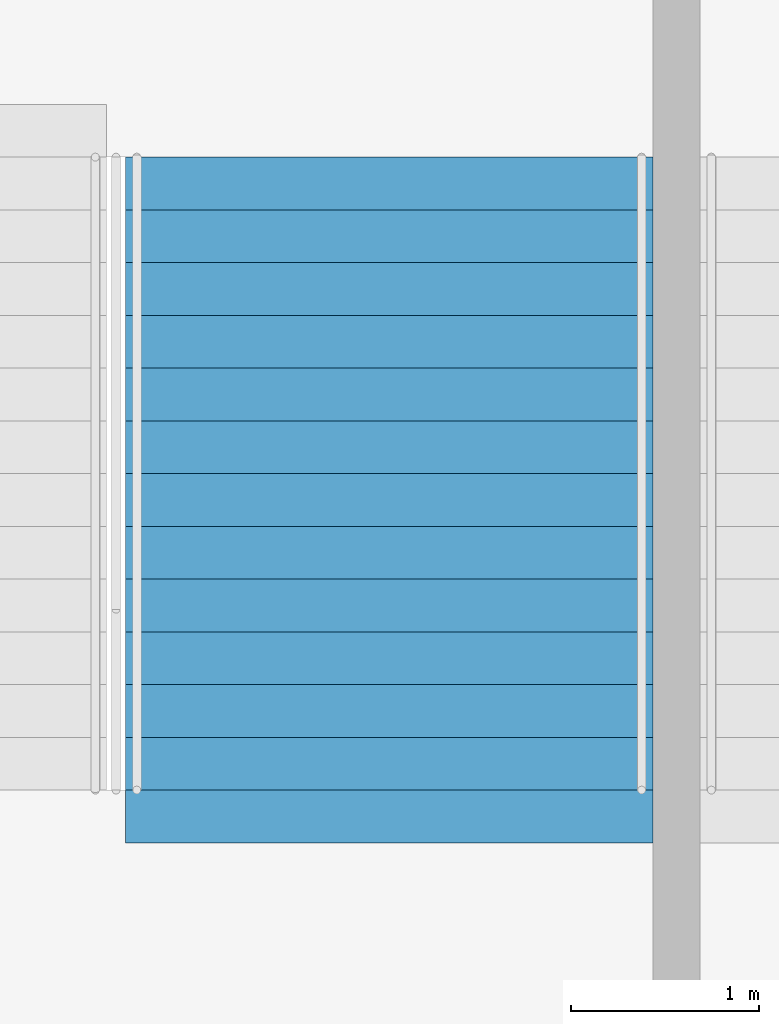
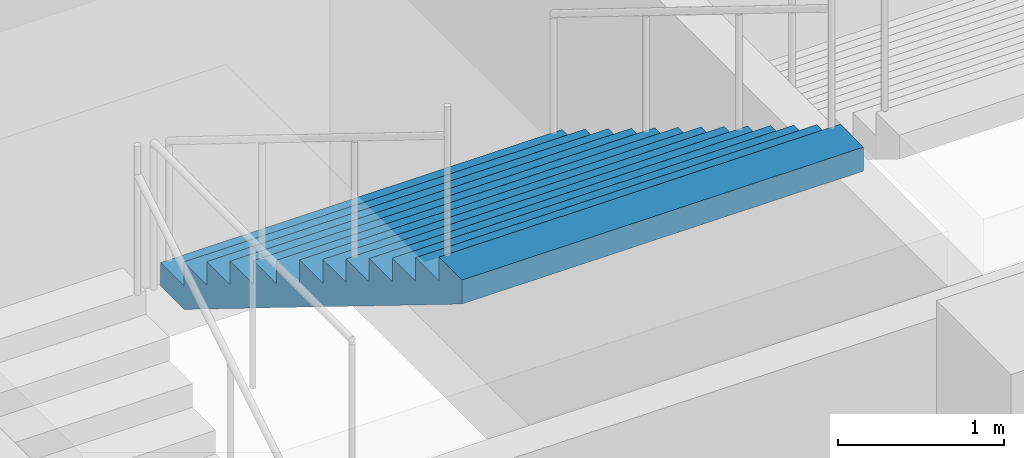
# One storey, part 164 of 199: 1 stair flight, 1 element without a shape of its own.
"""IFC4 building model written with IfcOpenShell, lengths in metres."""

from ifc_helpers import new_model, si_unit, direction, frame, origin, place, context, subcontext, project, spatial, faceted_brep, material, type_object, element, aggregate, save


model = new_model("IFC4")

# Units and contexts
model_context = context("Model", 3, precision=1e-05, world=origin(), true_north=direction((0.0, 1.0)))
body_context = subcontext(model_context, "Body", "Model", "MODEL_VIEW")
ifc_project = project(units=[si_unit("LENGTHUNIT", "METRE"), si_unit("AREAUNIT", "SQUARE_METRE"), si_unit("VOLUMEUNIT", "CUBIC_METRE"), si_unit("PLANEANGLEUNIT", "RADIAN"), si_unit("MASSUNIT", "GRAM", prefix="KILO")], contexts=[model_context])

# Site, building, storey
site_placement = place(None, origin())
site = spatial("IfcSite", under=ifc_project, at=site_placement, CompositionType="ELEMENT")
building_placement = place(site_placement, origin())
building = spatial("IfcBuilding", under=site, at=building_placement, Name="Ogive Plaza Stadium", CompositionType="ELEMENT")
storey_placement = place(building_placement, frame((0.0, 0.0, 9.0)))
storey = spatial("IfcBuildingStorey", under=building, at=storey_placement, Name="L02", CompositionType="ELEMENT", Elevation=9.0)

# Stair, stair flight
ifc_material_1 = material(Name="Concrete C40/50", Category="concrete")
stair_type = type_object("IfcStairType", Name="Exit stair", PredefinedType="STRAIGHT_RUN_STAIR", material=ifc_material_1)
stair_placement = place(storey_placement, origin())
stair = element("IfcStair", 1, at=stair_placement, inside=storey, type_object=stair_type, Name="Exit stair ST34B L02 to L03", PredefinedType="STRAIGHT_RUN_STAIR")
ifc_material_2 = material(Name="Concrete C40/50", Category="concrete")
stair_flight_type = type_object("IfcStairFlightType", Name="Exit stair flight", PredefinedType="STRAIGHT", material=ifc_material_2)
stair_flight_placement = place(storey_placement, frame((-8.324951171875, 98.2099609375, 2.25), z_axis=(0.0, 0.0, 1.0), x_axis=(0.0, -1.0, 0.0)))
stair_flight = element("IfcStairFlight", 2, at=stair_flight_placement, type_object=stair_flight_type, Name="ST34B flight 2", NumberOfRisers=13, NumberOfTreads=12, PredefinedType="STRAIGHT", RiserHeight=0.173076923, TreadLength=0.28, context=body_context, shape_type="Brep", body=[
    faceted_brep([(0.28515625, -1.39990234375, 0.0), (3.639892578125, -1.39990234375, 2.07373046875), (3.639892578125, -1.39990234375, 2.25), (3.360107421875, -1.39990234375, 2.25), (3.360107421875, -1.39990234375, 2.076904296875), (3.080078125, -1.39990234375, 2.076904296875), (3.080078125, -1.39990234375, 1.90380859375), (2.800048828125, -1.39990234375, 1.90380859375), (2.800048828125, -1.39990234375, 1.730712890625), (2.52001953125, -1.39990234375, 1.730712890625), (2.52001953125, -1.39990234375, 1.5576171875), (2.239990234375, -1.39990234375, 1.5576171875), (2.239990234375, -1.39990234375, 1.384521484375), (1.9599609375, -1.39990234375, 1.384521484375), (1.9599609375, -1.39990234375, 1.21142578125), (1.679931640625, -1.39990234375, 1.21142578125), (1.679931640625, -1.39990234375, 1.03857421875), (1.39990234375, -1.39990234375, 1.03857421875), (1.39990234375, -1.39990234375, 0.865478515625), (1.1201171875, -1.39990234375, 0.865478515625), (1.1201171875, -1.39990234375, 0.6923828125), (0.840087890625, -1.39990234375, 0.6923828125), (0.840087890625, -1.39990234375, 0.519287109375), (0.56005859375, -1.39990234375, 0.519287109375), (0.56005859375, -1.39990234375, 0.34619140625), (0.280029296875, -1.39990234375, 0.34619140625), (0.280029296875, -1.39990234375, 0.173095703125), (0.0, -1.39990234375, 0.173095703125), (0.0, -1.39990234375, 0.0), (0.0, 1.39990234375, 0.0), (0.0, 1.39990234375, 0.173095703125), (0.280029296875, 1.39990234375, 0.173095703125), (0.280029296875, 1.39990234375, 0.34619140625), (0.56005859375, 1.39990234375, 0.34619140625), (0.56005859375, 1.39990234375, 0.519287109375), (0.840087890625, 1.39990234375, 0.519287109375), (0.840087890625, 1.39990234375, 0.6923828125), (1.1201171875, 1.39990234375, 0.6923828125), (1.1201171875, 1.39990234375, 0.865478515625), (1.39990234375, 1.39990234375, 0.865478515625), (1.39990234375, 1.39990234375, 1.03857421875), (1.679931640625, 1.39990234375, 1.03857421875), (1.679931640625, 1.39990234375, 1.21142578125), (1.9599609375, 1.39990234375, 1.21142578125), (1.9599609375, 1.39990234375, 1.384521484375), (2.239990234375, 1.39990234375, 1.384521484375), (2.239990234375, 1.39990234375, 1.5576171875), (2.52001953125, 1.39990234375, 1.5576171875), (2.52001953125, 1.39990234375, 1.730712890625), (2.800048828125, 1.39990234375, 1.730712890625), (2.800048828125, 1.39990234375, 1.90380859375), (3.080078125, 1.39990234375, 1.90380859375), (3.080078125, 1.39990234375, 2.076904296875), (3.360107421875, 1.39990234375, 2.076904296875), (3.360107421875, 1.39990234375, 2.25), (3.639892578125, 1.39990234375, 2.25), (3.639892578125, 1.39990234375, 2.07373046875), (0.28515625, 1.39990234375, 0.0), (0.28515625, -1.0888671875, 0.0), (3.639892578125, -1.0888671875, 2.07373046875), (0.28515625, -0.77783203125, 0.0), (3.639892578125, -0.77783203125, 2.07373046875), (0.28515625, -0.466796875, 0.0), (3.639892578125, -0.466796875, 2.07373046875), (0.28515625, -0.155517578125, 0.0), (3.639892578125, -0.155517578125, 2.07373046875), (0.28515625, 0.155517578125, 0.0), (3.639892578125, 0.155517578125, 2.07373046875), (0.28515625, 0.466796875, 0.0), (3.639892578125, 0.466796875, 2.07373046875), (0.28515625, 0.77783203125, 0.0), (3.639892578125, 0.77783203125, 2.07373046875), (0.28515625, 1.0888671875, 0.0), (3.639892578125, 1.0888671875, 2.07373046875), (3.639892578125, -1.0888671875, 2.25), (3.639892578125, -0.77783203125, 2.25), (3.639892578125, -0.466796875, 2.25), (3.639892578125, -0.155517578125, 2.25), (3.639892578125, 0.155517578125, 2.25), (3.639892578125, 0.466796875, 2.25), (3.639892578125, 0.77783203125, 2.25), (3.639892578125, 1.0888671875, 2.25), (3.360107421875, -1.0888671875, 2.25), (3.360107421875, -0.77783203125, 2.25), (3.360107421875, -0.466796875, 2.25), (3.360107421875, -0.155517578125, 2.25), (3.360107421875, 0.155517578125, 2.25), (3.360107421875, 0.466796875, 2.25), (3.360107421875, 0.77783203125, 2.25), (3.360107421875, 1.0888671875, 2.25), (3.360107421875, -1.0888671875, 2.076904296875), (3.360107421875, -0.77783203125, 2.076904296875), (3.360107421875, -0.466796875, 2.076904296875), (3.360107421875, -0.155517578125, 2.076904296875), (3.360107421875, 0.155517578125, 2.076904296875), (3.360107421875, 0.466796875, 2.076904296875), (3.360107421875, 0.77783203125, 2.076904296875), (3.360107421875, 1.0888671875, 2.076904296875), (3.080078125, -1.0888671875, 2.076904296875), (3.080078125, -0.77783203125, 2.076904296875), (3.080078125, -0.466796875, 2.076904296875), (3.080078125, -0.155517578125, 2.076904296875), (3.080078125, 0.155517578125, 2.076904296875), (3.080078125, 0.466796875, 2.076904296875), (3.080078125, 0.77783203125, 2.076904296875), (3.080078125, 1.0888671875, 2.076904296875), (3.080078125, -1.0888671875, 1.90380859375), (3.080078125, -0.77783203125, 1.90380859375), (3.080078125, -0.466796875, 1.90380859375), (3.080078125, -0.155517578125, 1.90380859375), (3.080078125, 0.155517578125, 1.90380859375), (3.080078125, 0.466796875, 1.90380859375), (3.080078125, 0.77783203125, 1.90380859375), (3.080078125, 1.0888671875, 1.90380859375), (2.800048828125, -1.0888671875, 1.90380859375), (2.800048828125, -0.77783203125, 1.90380859375), (2.800048828125, -0.466796875, 1.90380859375), (2.800048828125, -0.155517578125, 1.90380859375), (2.800048828125, 0.155517578125, 1.90380859375), (2.800048828125, 0.466796875, 1.90380859375), (2.800048828125, 0.77783203125, 1.90380859375), (2.800048828125, 1.0888671875, 1.90380859375), (2.800048828125, -1.0888671875, 1.730712890625), (2.800048828125, -0.77783203125, 1.730712890625), (2.800048828125, -0.466796875, 1.730712890625), (2.800048828125, -0.155517578125, 1.730712890625), (2.800048828125, 0.155517578125, 1.730712890625), (2.800048828125, 0.466796875, 1.730712890625), (2.800048828125, 0.77783203125, 1.730712890625), (2.800048828125, 1.0888671875, 1.730712890625), (2.52001953125, -1.0888671875, 1.730712890625), (2.52001953125, -0.77783203125, 1.730712890625), (2.52001953125, -0.466796875, 1.730712890625), (2.52001953125, -0.155517578125, 1.730712890625), (2.52001953125, 0.155517578125, 1.730712890625), (2.52001953125, 0.466796875, 1.730712890625), (2.52001953125, 0.77783203125, 1.730712890625), (2.52001953125, 1.0888671875, 1.730712890625), (2.52001953125, -1.0888671875, 1.5576171875), (2.52001953125, -0.77783203125, 1.5576171875), (2.52001953125, -0.466796875, 1.5576171875), (2.52001953125, -0.155517578125, 1.5576171875), (2.52001953125, 0.155517578125, 1.5576171875), (2.52001953125, 0.466796875, 1.5576171875), (2.52001953125, 0.77783203125, 1.5576171875), (2.52001953125, 1.0888671875, 1.5576171875), (2.239990234375, -1.0888671875, 1.5576171875), (2.239990234375, -0.77783203125, 1.5576171875), (2.239990234375, -0.466796875, 1.5576171875), (2.239990234375, -0.155517578125, 1.5576171875), (2.239990234375, 0.155517578125, 1.5576171875), (2.239990234375, 0.466796875, 1.5576171875), (2.239990234375, 0.77783203125, 1.5576171875), (2.239990234375, 1.0888671875, 1.5576171875), (2.239990234375, -1.0888671875, 1.384521484375), (2.239990234375, -0.77783203125, 1.384521484375), (2.239990234375, -0.466796875, 1.384521484375), (2.239990234375, -0.155517578125, 1.384521484375), (2.239990234375, 0.155517578125, 1.384521484375), (2.239990234375, 0.466796875, 1.384521484375), (2.239990234375, 0.77783203125, 1.384521484375), (2.239990234375, 1.0888671875, 1.384521484375), (1.9599609375, -1.0888671875, 1.384521484375), (1.9599609375, -0.77783203125, 1.384521484375), (1.9599609375, -0.466796875, 1.384521484375), (1.9599609375, -0.155517578125, 1.384521484375), (1.9599609375, 0.155517578125, 1.384521484375), (1.9599609375, 0.466796875, 1.384521484375), (1.9599609375, 0.77783203125, 1.384521484375), (1.9599609375, 1.0888671875, 1.384521484375), (1.9599609375, -1.0888671875, 1.21142578125), (1.9599609375, -0.77783203125, 1.21142578125), (1.9599609375, -0.466796875, 1.21142578125), (1.9599609375, -0.155517578125, 1.21142578125), (1.9599609375, 0.155517578125, 1.21142578125), (1.9599609375, 0.466796875, 1.21142578125), (1.9599609375, 0.77783203125, 1.21142578125), (1.9599609375, 1.0888671875, 1.21142578125), (1.679931640625, -1.0888671875, 1.21142578125), (1.679931640625, -0.77783203125, 1.21142578125), (1.679931640625, -0.466796875, 1.21142578125), (1.679931640625, -0.155517578125, 1.21142578125), (1.679931640625, 0.155517578125, 1.21142578125), (1.679931640625, 0.466796875, 1.21142578125), (1.679931640625, 0.77783203125, 1.21142578125), (1.679931640625, 1.0888671875, 1.21142578125), (1.679931640625, -1.0888671875, 1.03857421875), (1.679931640625, -0.77783203125, 1.03857421875), (1.679931640625, -0.466796875, 1.03857421875), (1.679931640625, -0.155517578125, 1.03857421875), (1.679931640625, 0.155517578125, 1.03857421875), (1.679931640625, 0.466796875, 1.03857421875), (1.679931640625, 0.77783203125, 1.03857421875), (1.679931640625, 1.0888671875, 1.03857421875), (1.39990234375, -1.0888671875, 1.03857421875), (1.39990234375, -0.77783203125, 1.03857421875), (1.39990234375, -0.466796875, 1.03857421875), (1.39990234375, -0.155517578125, 1.03857421875), (1.39990234375, 0.155517578125, 1.03857421875), (1.39990234375, 0.466796875, 1.03857421875), (1.39990234375, 0.77783203125, 1.03857421875), (1.39990234375, 1.0888671875, 1.03857421875), (1.39990234375, -1.0888671875, 0.865478515625), (1.39990234375, -0.77783203125, 0.865478515625), (1.39990234375, -0.466796875, 0.865478515625), (1.39990234375, -0.155517578125, 0.865478515625), (1.39990234375, 0.155517578125, 0.865478515625), (1.39990234375, 0.466796875, 0.865478515625), (1.39990234375, 0.77783203125, 0.865478515625), (1.39990234375, 1.0888671875, 0.865478515625), (1.1201171875, -1.0888671875, 0.865478515625), (1.1201171875, -0.77783203125, 0.865478515625), (1.1201171875, -0.466796875, 0.865478515625), (1.1201171875, -0.155517578125, 0.865478515625), (1.1201171875, 0.155517578125, 0.865478515625), (1.1201171875, 0.466796875, 0.865478515625), (1.1201171875, 0.77783203125, 0.865478515625), (1.1201171875, 1.0888671875, 0.865478515625), (1.1201171875, -1.0888671875, 0.6923828125), (1.1201171875, -0.77783203125, 0.6923828125), (1.1201171875, -0.466796875, 0.6923828125), (1.1201171875, -0.155517578125, 0.6923828125), (1.1201171875, 0.155517578125, 0.6923828125), (1.1201171875, 0.466796875, 0.6923828125), (1.1201171875, 0.77783203125, 0.6923828125), (1.1201171875, 1.0888671875, 0.6923828125), (0.840087890625, -1.0888671875, 0.6923828125), (0.840087890625, -0.77783203125, 0.6923828125), (0.840087890625, -0.466796875, 0.6923828125), (0.840087890625, -0.155517578125, 0.6923828125), (0.840087890625, 0.155517578125, 0.6923828125), (0.840087890625, 0.466796875, 0.6923828125), (0.840087890625, 0.77783203125, 0.6923828125), (0.840087890625, 1.0888671875, 0.6923828125), (0.840087890625, -1.0888671875, 0.519287109375), (0.840087890625, -0.77783203125, 0.519287109375), (0.840087890625, -0.466796875, 0.519287109375), (0.840087890625, -0.155517578125, 0.519287109375), (0.840087890625, 0.155517578125, 0.519287109375), (0.840087890625, 0.466796875, 0.519287109375), (0.840087890625, 0.77783203125, 0.519287109375), (0.840087890625, 1.0888671875, 0.519287109375), (0.56005859375, -1.0888671875, 0.519287109375), (0.56005859375, -0.77783203125, 0.519287109375), (0.56005859375, -0.466796875, 0.519287109375), (0.56005859375, -0.155517578125, 0.519287109375), (0.56005859375, 0.155517578125, 0.519287109375), (0.56005859375, 0.466796875, 0.519287109375), (0.56005859375, 0.77783203125, 0.519287109375), (0.56005859375, 1.0888671875, 0.519287109375), (0.56005859375, -1.0888671875, 0.34619140625), (0.56005859375, -0.77783203125, 0.34619140625), (0.56005859375, -0.466796875, 0.34619140625), (0.56005859375, -0.155517578125, 0.34619140625), (0.56005859375, 0.155517578125, 0.34619140625), (0.56005859375, 0.466796875, 0.34619140625), (0.56005859375, 0.77783203125, 0.34619140625), (0.56005859375, 1.0888671875, 0.34619140625), (0.280029296875, -1.0888671875, 0.34619140625), (0.280029296875, -0.77783203125, 0.34619140625), (0.280029296875, -0.466796875, 0.34619140625), (0.280029296875, -0.155517578125, 0.34619140625), (0.280029296875, 0.155517578125, 0.34619140625), (0.280029296875, 0.466796875, 0.34619140625), (0.280029296875, 0.77783203125, 0.34619140625), (0.280029296875, 1.0888671875, 0.34619140625), (0.280029296875, -1.0888671875, 0.173095703125), (0.280029296875, -0.77783203125, 0.173095703125), (0.280029296875, -0.466796875, 0.173095703125), (0.280029296875, -0.155517578125, 0.173095703125), (0.280029296875, 0.155517578125, 0.173095703125), (0.280029296875, 0.466796875, 0.173095703125), (0.280029296875, 0.77783203125, 0.173095703125), (0.280029296875, 1.0888671875, 0.173095703125), (0.0, -1.0888671875, 0.173095703125), (0.0, -0.77783203125, 0.173095703125), (0.0, -0.466796875, 0.173095703125), (0.0, -0.155517578125, 0.173095703125), (0.0, 0.155517578125, 0.173095703125), (0.0, 0.466796875, 0.173095703125), (0.0, 0.77783203125, 0.173095703125), (0.0, 1.0888671875, 0.173095703125), (0.0, -1.0888671875, 0.0), (0.0, -0.77783203125, 0.0), (0.0, -0.466796875, 0.0), (0.0, -0.155517578125, 0.0), (0.0, 0.155517578125, 0.0), (0.0, 0.466796875, 0.0), (0.0, 0.77783203125, 0.0), (0.0, 1.0888671875, 0.0)], [[[0, 1, 2, 3, 4, 5, 6, 7, 8, 9, 10, 11, 12, 13, 14, 15, 16, 17, 18, 19, 20, 21, 22, 23, 24, 25, 26, 27, 28]], [[29, 30, 31, 32, 33, 34, 35, 36, 37, 38, 39, 40, 41, 42, 43, 44, 45, 46, 47, 48, 49, 50, 51, 52, 53, 54, 55, 56, 57]], [[0, 58, 59, 1]], [[58, 60, 61, 59]], [[60, 62, 63, 61]], [[62, 64, 65, 63]], [[64, 66, 67, 65]], [[66, 68, 69, 67]], [[68, 70, 71, 69]], [[70, 72, 73, 71]], [[72, 57, 56, 73]], [[1, 59, 74, 2]], [[59, 61, 75, 74]], [[61, 63, 76, 75]], [[63, 65, 77, 76]], [[65, 67, 78, 77]], [[67, 69, 79, 78]], [[69, 71, 80, 79]], [[71, 73, 81, 80]], [[73, 56, 55, 81]], [[2, 74, 82, 3]], [[74, 75, 83, 82]], [[75, 76, 84, 83]], [[76, 77, 85, 84]], [[77, 78, 86, 85]], [[78, 79, 87, 86]], [[79, 80, 88, 87]], [[80, 81, 89, 88]], [[81, 55, 54, 89]], [[3, 82, 90, 4]], [[82, 83, 91, 90]], [[83, 84, 92, 91]], [[84, 85, 93, 92]], [[85, 86, 94, 93]], [[86, 87, 95, 94]], [[87, 88, 96, 95]], [[88, 89, 97, 96]], [[89, 54, 53, 97]], [[4, 90, 98, 5]], [[90, 91, 99, 98]], [[91, 92, 100, 99]], [[92, 93, 101, 100]], [[93, 94, 102, 101]], [[94, 95, 103, 102]], [[95, 96, 104, 103]], [[96, 97, 105, 104]], [[97, 53, 52, 105]], [[5, 98, 106, 6]], [[98, 99, 107, 106]], [[99, 100, 108, 107]], [[100, 101, 109, 108]], [[101, 102, 110, 109]], [[102, 103, 111, 110]], [[103, 104, 112, 111]], [[104, 105, 113, 112]], [[105, 52, 51, 113]], [[6, 106, 114, 7]], [[106, 107, 115, 114]], [[107, 108, 116, 115]], [[108, 109, 117, 116]], [[109, 110, 118, 117]], [[110, 111, 119, 118]], [[111, 112, 120, 119]], [[112, 113, 121, 120]], [[113, 51, 50, 121]], [[7, 114, 122, 8]], [[114, 115, 123, 122]], [[115, 116, 124, 123]], [[116, 117, 125, 124]], [[117, 118, 126, 125]], [[118, 119, 127, 126]], [[119, 120, 128, 127]], [[120, 121, 129, 128]], [[121, 50, 49, 129]], [[8, 122, 130, 9]], [[122, 123, 131, 130]], [[123, 124, 132, 131]], [[124, 125, 133, 132]], [[125, 126, 134, 133]], [[126, 127, 135, 134]], [[127, 128, 136, 135]], [[128, 129, 137, 136]], [[129, 49, 48, 137]], [[9, 130, 138, 10]], [[130, 131, 139, 138]], [[131, 132, 140, 139]], [[132, 133, 141, 140]], [[133, 134, 142, 141]], [[134, 135, 143, 142]], [[135, 136, 144, 143]], [[136, 137, 145, 144]], [[137, 48, 47, 145]], [[10, 138, 146, 11]], [[138, 139, 147, 146]], [[139, 140, 148, 147]], [[140, 141, 149, 148]], [[141, 142, 150, 149]], [[142, 143, 151, 150]], [[143, 144, 152, 151]], [[144, 145, 153, 152]], [[145, 47, 46, 153]], [[11, 146, 154, 12]], [[146, 147, 155, 154]], [[147, 148, 156, 155]], [[148, 149, 157, 156]], [[149, 150, 158, 157]], [[150, 151, 159, 158]], [[151, 152, 160, 159]], [[152, 153, 161, 160]], [[153, 46, 45, 161]], [[12, 154, 162, 13]], [[154, 155, 163, 162]], [[155, 156, 164, 163]], [[156, 157, 165, 164]], [[157, 158, 166, 165]], [[158, 159, 167, 166]], [[159, 160, 168, 167]], [[160, 161, 169, 168]], [[161, 45, 44, 169]], [[13, 162, 170, 14]], [[162, 163, 171, 170]], [[163, 164, 172, 171]], [[164, 165, 173, 172]], [[165, 166, 174, 173]], [[166, 167, 175, 174]], [[167, 168, 176, 175]], [[168, 169, 177, 176]], [[169, 44, 43, 177]], [[14, 170, 178, 15]], [[170, 171, 179, 178]], [[171, 172, 180, 179]], [[172, 173, 181, 180]], [[173, 174, 182, 181]], [[174, 175, 183, 182]], [[175, 176, 184, 183]], [[176, 177, 185, 184]], [[177, 43, 42, 185]], [[15, 178, 186, 16]], [[178, 179, 187, 186]], [[179, 180, 188, 187]], [[180, 181, 189, 188]], [[181, 182, 190, 189]], [[182, 183, 191, 190]], [[183, 184, 192, 191]], [[184, 185, 193, 192]], [[185, 42, 41, 193]], [[16, 186, 194, 17]], [[186, 187, 195, 194]], [[187, 188, 196, 195]], [[188, 189, 197, 196]], [[189, 190, 198, 197]], [[190, 191, 199, 198]], [[191, 192, 200, 199]], [[192, 193, 201, 200]], [[193, 41, 40, 201]], [[17, 194, 202, 18]], [[194, 195, 203, 202]], [[195, 196, 204, 203]], [[196, 197, 205, 204]], [[197, 198, 206, 205]], [[198, 199, 207, 206]], [[199, 200, 208, 207]], [[200, 201, 209, 208]], [[201, 40, 39, 209]], [[18, 202, 210, 19]], [[202, 203, 211, 210]], [[203, 204, 212, 211]], [[204, 205, 213, 212]], [[205, 206, 214, 213]], [[206, 207, 215, 214]], [[207, 208, 216, 215]], [[208, 209, 217, 216]], [[209, 39, 38, 217]], [[19, 210, 218, 20]], [[210, 211, 219, 218]], [[211, 212, 220, 219]], [[212, 213, 221, 220]], [[213, 214, 222, 221]], [[214, 215, 223, 222]], [[215, 216, 224, 223]], [[216, 217, 225, 224]], [[217, 38, 37, 225]], [[20, 218, 226, 21]], [[218, 219, 227, 226]], [[219, 220, 228, 227]], [[220, 221, 229, 228]], [[221, 222, 230, 229]], [[222, 223, 231, 230]], [[223, 224, 232, 231]], [[224, 225, 233, 232]], [[225, 37, 36, 233]], [[21, 226, 234, 22]], [[226, 227, 235, 234]], [[227, 228, 236, 235]], [[228, 229, 237, 236]], [[229, 230, 238, 237]], [[230, 231, 239, 238]], [[231, 232, 240, 239]], [[232, 233, 241, 240]], [[233, 36, 35, 241]], [[22, 234, 242, 23]], [[234, 235, 243, 242]], [[235, 236, 244, 243]], [[236, 237, 245, 244]], [[237, 238, 246, 245]], [[238, 239, 247, 246]], [[239, 240, 248, 247]], [[240, 241, 249, 248]], [[241, 35, 34, 249]], [[23, 242, 250, 24]], [[242, 243, 251, 250]], [[243, 244, 252, 251]], [[244, 245, 253, 252]], [[245, 246, 254, 253]], [[246, 247, 255, 254]], [[247, 248, 256, 255]], [[248, 249, 257, 256]], [[249, 34, 33, 257]], [[24, 250, 258, 25]], [[250, 251, 259, 258]], [[251, 252, 260, 259]], [[252, 253, 261, 260]], [[253, 254, 262, 261]], [[254, 255, 263, 262]], [[255, 256, 264, 263]], [[256, 257, 265, 264]], [[257, 33, 32, 265]], [[25, 258, 266, 26]], [[258, 259, 267, 266]], [[259, 260, 268, 267]], [[260, 261, 269, 268]], [[261, 262, 270, 269]], [[262, 263, 271, 270]], [[263, 264, 272, 271]], [[264, 265, 273, 272]], [[265, 32, 31, 273]], [[26, 266, 274, 27]], [[266, 267, 275, 274]], [[267, 268, 276, 275]], [[268, 269, 277, 276]], [[269, 270, 278, 277]], [[270, 271, 279, 278]], [[271, 272, 280, 279]], [[272, 273, 281, 280]], [[273, 31, 30, 281]], [[27, 274, 282, 28]], [[274, 275, 283, 282]], [[275, 276, 284, 283]], [[276, 277, 285, 284]], [[277, 278, 286, 285]], [[278, 279, 287, 286]], [[279, 280, 288, 287]], [[280, 281, 289, 288]], [[281, 30, 29, 289]], [[28, 282, 58, 0]], [[282, 283, 60, 58]], [[283, 284, 62, 60]], [[284, 285, 64, 62]], [[285, 286, 66, 64]], [[286, 287, 68, 66]], [[287, 288, 70, 68]], [[288, 289, 72, 70]], [[289, 29, 57, 72]]]),
])
aggregate(stair, [stair_flight])

save(model, "model.ifc")
